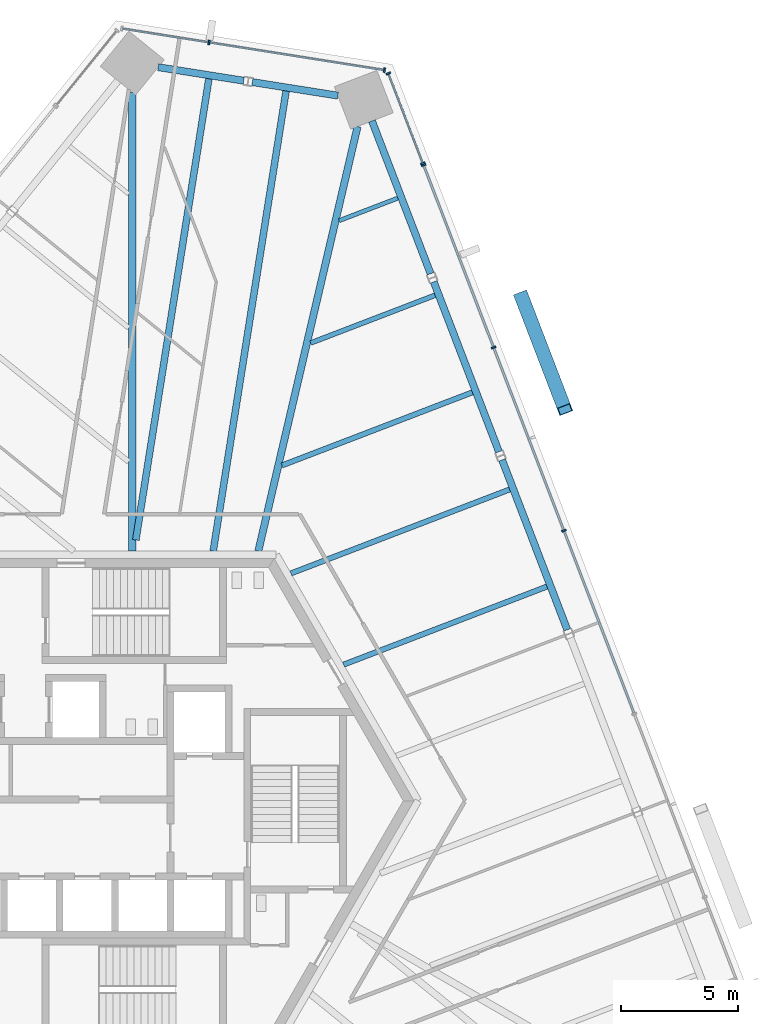
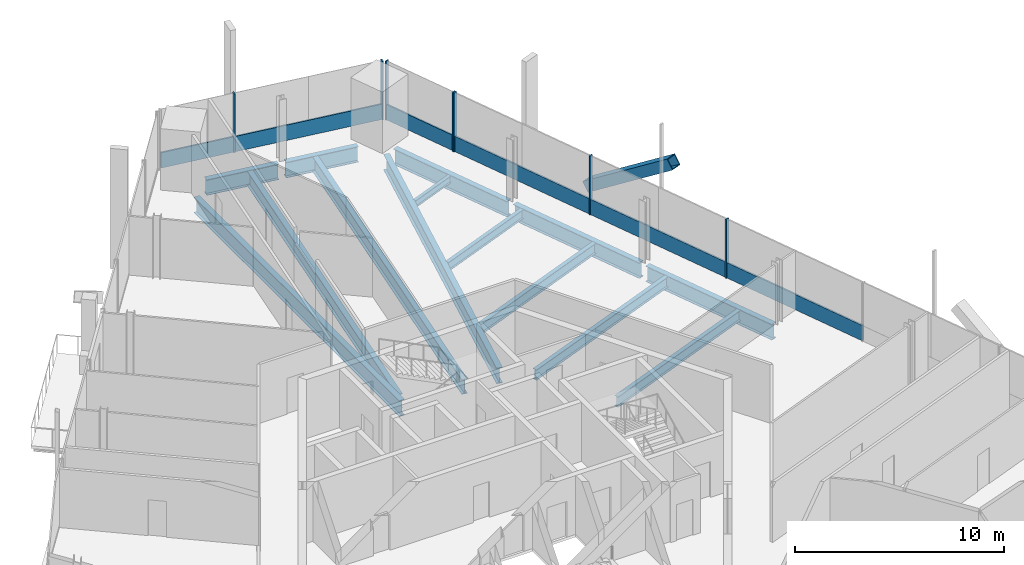
# One storey, part 9 of 21: 14 beams, 14 members, 3 elements without a shape of their own.
"""IFC4 building model written with IfcOpenShell, lengths in metres."""

from ifc_helpers import new_model, si_unit, direction, frame, origin, origin_2d, place, context, subcontext, project, spatial, rectangle, hollow_rectangle, i_section, extrude, source, transform, mapped, material, material_profile, profile_set, type_object, element, aggregate, save


model = new_model("IFC4")

# Units and contexts
model_context = context("Model", 3, precision=1e-05, world=origin(), true_north=direction((0.0, 1.0)))
body_context = subcontext(model_context, "Body", "Model", "MODEL_VIEW")
ifc_project = project(units=[si_unit("LENGTHUNIT", "METRE"), si_unit("AREAUNIT", "SQUARE_METRE"), si_unit("VOLUMEUNIT", "CUBIC_METRE"), si_unit("PLANEANGLEUNIT", "RADIAN"), si_unit("MASSUNIT", "GRAM", prefix="KILO")], contexts=[model_context])

# Site, building, storey
site_placement = place(None, origin())
site = spatial("IfcSite", under=ifc_project, at=site_placement, CompositionType="ELEMENT")
building_placement = place(site_placement, origin())
building = spatial("IfcBuilding", under=site, at=building_placement, Name="Triune Harvest Tower", CompositionType="ELEMENT")
storey_placement = place(building_placement, frame((0.0, 0.0, 146.10009765625)))
storey = spatial("IfcBuildingStorey", under=building, at=storey_placement, Name="L37", CompositionType="ELEMENT", Elevation=146.10009765625)

# Beams
ifc_material_1 = material(Name="Steel ASTM A992 Gr 50", Category="steel")
ifc_material_profile_1 = material_profile(ifc_material_1, i_section(OverallWidth=0.3046875, OverallDepth=0.914306640625, WebThickness=0.0166015625, FlangeThickness=0.02587890625, at=origin_2d()), Name="W36x160")
ifc_profile_set_1 = profile_set([ifc_material_profile_1], Name="Steel ASTM A992 Gr 50")
beam_type_1 = type_object("IfcBeamType", Name="SB-1 Spandrel beam W36x160", PredefinedType="SPANDREL", material=ifc_profile_set_1)
shared_shape_1 = source(origin(), body_context, "Body", "SweptSolid", [
    extrude(i_section(OverallWidth=0.3046875, OverallDepth=0.914306640625, WebThickness=0.0166015625, FlangeThickness=0.02587890625, at=origin_2d()), origin(), (0.0, 0.0, 1.0), 7.013427734375),
])
beam_1_placement = place(storey_placement, frame((12.709716796875, 22.592041015625, -0.6171875), z_axis=(-0.358372513984, 0.93357867436, 0.0), x_axis=(-0.93357867436, -0.358372513984, 0.0)))
element("IfcBeam", 1, at=beam_1_placement, inside=storey, type_object=beam_type_1, Name="beam/L37/SB6", PredefinedType="SPANDREL", context=body_context, shape_type="MappedRepresentation", body=[
    mapped(shared_shape_1, transform((0.0, 0.0, 0.0), scale=1.0)),
])
shared_shape_2 = source(origin(), body_context, "Body", "SweptSolid", [
    extrude(i_section(OverallWidth=0.3046875, OverallDepth=0.914306640625, WebThickness=0.0166015625, FlangeThickness=0.02587890625, at=origin_2d()), origin(), (0.0, 0.0, 1.0), 7.8017578125),
])
for number, where, z_axis, x_axis, name in (
    (2, (18.569091796875, 7.327880859375, -0.6171875), (-0.358372974677, 0.933578497514, 0.0), (-0.933578497514, -0.358372974677, 0.0), "beam/L37/SB4"),
    (3, (15.639404296875, 14.9599609375, -0.6171875), (-0.358372974677, 0.933578497514, 0.0), (-0.933578497514, -0.358372974677, 0.0), "beam/L37/SB5"),
):
    element("IfcBeam", number, at=place(storey_placement, frame(where, z_axis=z_axis, x_axis=x_axis)), inside=storey, type_object=beam_type_1, Name=name, PredefinedType="SPANDREL", context=body_context, shape_type="MappedRepresentation", body=[
        mapped(shared_shape_2, transform((0.0, 0.0, 0.0), scale=1.0)),
    ])
shared_shape_3 = source(origin(), body_context, "Body", "SweptSolid", [
    extrude(i_section(OverallWidth=0.3046875, OverallDepth=0.914306640625, WebThickness=0.0166015625, FlangeThickness=0.02587890625, at=origin_2d()), origin(), (0.0, 0.0, 1.0), 3.71240234375),
])
for number, where, z_axis, x_axis, name in (
    (4, (8.735107421875, 30.225830078125, -0.6171875), (-0.987686063537, 0.156448841145, 0.0), (-0.156448841145, -0.987686063537, 0.0), "beam/L37/SB7"),
    (5, (4.699462890625, 30.864990234375, -0.6171875), (-0.987686063537, 0.156448841145, 0.0), (-0.156448841145, -0.987686063537, 0.0), "beam/L37/SB8"),
):
    element("IfcBeam", number, at=place(storey_placement, frame(where, z_axis=z_axis, x_axis=x_axis)), inside=storey, type_object=beam_type_1, Name=name, PredefinedType="SPANDREL", context=body_context, shape_type="MappedRepresentation", body=[
        mapped(shared_shape_3, transform((0.0, 0.0, 0.0), scale=1.0)),
    ])
ifc_material_2 = material(Name="Steel ASTM A992 Gr 50", Category="steel")
ifc_material_profile_2 = material_profile(ifc_material_2, i_section(OverallWidth=0.307373046875, OverallDepth=0.922119140625, WebThickness=0.018310546875, FlangeThickness=0.030029296875, at=origin_2d()), Name="W36x182")
ifc_profile_set_2 = profile_set([ifc_material_profile_2], Name="Steel ASTM A992 Gr 50")
beam_type_2 = type_object("IfcBeamType", Name="HG-2 Hip girder W36x182", PredefinedType="BEAM", material=ifc_profile_set_2)
shared_shape_4 = source(origin(), body_context, "Body", "SweptSolid", [
    extrude(i_section(OverallWidth=0.307373046875, OverallDepth=0.922119140625, WebThickness=0.018310546875, FlangeThickness=0.030029296875, at=origin_2d()), origin(), (0.0, 0.0, 1.0), 18.6962890625),
])
beam_2_placement = place(storey_placement, frame((9.578857421875, 28.902587890625, -0.62109375), z_axis=(-0.227605246905, -0.973753486043, 0.0), x_axis=(0.973753486043, -0.227605246905, 0.0)))
element("IfcBeam", 6, at=beam_2_placement, inside=storey, type_object=beam_type_2, Name="beam/L37/HG3", PredefinedType="BEAM", context=body_context, shape_type="MappedRepresentation", body=[
    mapped(shared_shape_4, transform((0.0, 0.0, 0.0), scale=1.0)),
])
shared_shape_5 = source(origin(), body_context, "Body", "SweptSolid", [
    extrude(i_section(OverallWidth=0.307373046875, OverallDepth=0.922119140625, WebThickness=0.018310546875, FlangeThickness=0.030029296875, at=origin_2d()), origin(), (0.0, 0.0, 1.0), 19.670166015625),
])
beam_3_placement = place(storey_placement, frame((-0.0791015625, 30.3671875, -0.62109375), z_axis=(0.0, -1.0, 0.0), x_axis=(1.0, 0.0, 0.0)))
element("IfcBeam", 7, at=beam_3_placement, inside=storey, type_object=beam_type_2, Name="beam/L37/HG4", PredefinedType="BEAM", context=body_context, shape_type="MappedRepresentation", body=[
    mapped(shared_shape_5, transform((0.0, 0.0, 0.0), scale=1.0)),
])
ifc_material_3 = material(Name="Steel ASTM A992 Gr 50", Category="steel")
ifc_material_profile_3 = material_profile(ifc_material_3, i_section(OverallWidth=0.22900390625, OverallDepth=0.612060546875, WebThickness=0.011962890625, FlangeThickness=0.01953125, at=origin_2d()), Name="W24x84")
ifc_profile_set_3 = profile_set([ifc_material_profile_3], Name="Steel ASTM A992 Gr 50")
beam_type_3 = type_object("IfcBeamType", Name="JT-3 Floor joist W24x84", PredefinedType="JOIST", material=ifc_profile_set_3)
shared_shape_6 = source(origin(), body_context, "Body", "SweptSolid", [
    extrude(i_section(OverallWidth=0.22900390625, OverallDepth=0.612060546875, WebThickness=0.011962890625, FlangeThickness=0.01953125, at=origin_2d()), origin(), (0.0, 0.0, 1.0), 9.33203125),
])
beam_4_placement = place(storey_placement, frame((17.694580078125, 9.180419921875, -0.46630859375), z_axis=(-0.933582072806, -0.358363660734, 0.0), x_axis=(0.358363660734, -0.933582072806, 0.0)))
element("IfcBeam", 8, at=beam_4_placement, inside=storey, type_object=beam_type_3, Name="beam/L37/JT6", PredefinedType="JOIST", context=body_context, shape_type="MappedRepresentation", body=[
    mapped(shared_shape_6, transform((0.0, 0.0, 0.0), scale=1.0)),
])
shared_shape_7 = source(origin(), body_context, "Body", "SweptSolid", [
    extrude(i_section(OverallWidth=0.22900390625, OverallDepth=0.612060546875, WebThickness=0.011962890625, FlangeThickness=0.01953125, at=origin_2d()), origin(), (0.0, 0.0, 1.0), 10.038330078125),
])
beam_5_placement = place(storey_placement, frame((16.0966796875, 13.343505859375, -0.46630859375), z_axis=(-0.933580465952, -0.358367846762, 0.0), x_axis=(0.358367846762, -0.933580465952, 0.0)))
element("IfcBeam", 9, at=beam_5_placement, inside=storey, type_object=beam_type_3, Name="beam/L37/JT7", PredefinedType="JOIST", context=body_context, shape_type="MappedRepresentation", body=[
    mapped(shared_shape_7, transform((0.0, 0.0, 0.0), scale=1.0)),
])
shared_shape_8 = source(origin(), body_context, "Body", "SweptSolid", [
    extrude(i_section(OverallWidth=0.22900390625, OverallDepth=0.612060546875, WebThickness=0.011962890625, FlangeThickness=0.01953125, at=origin_2d()), origin(), (0.0, 0.0, 1.0), 8.738037109375),
])
beam_6_placement = place(storey_placement, frame((14.498779296875, 17.50634765625, -0.46630859375), z_axis=(-0.933584472757, -0.358357408499, 0.0), x_axis=(0.358357408499, -0.933584472757, 0.0)))
element("IfcBeam", 10, at=beam_6_placement, inside=storey, type_object=beam_type_3, Name="beam/L37/JT8", PredefinedType="JOIST", context=body_context, shape_type="MappedRepresentation", body=[
    mapped(shared_shape_8, transform((0.0, 0.0, 0.0), scale=1.0)),
])
ifc_material_4 = material(Name="Steel ASTM A992 Gr 50", Category="steel")
ifc_material_profile_4 = material_profile(ifc_material_4, i_section(OverallWidth=0.2099609375, OverallDepth=0.535888671875, WebThickness=0.010986328125, FlangeThickness=0.017333984375, at=origin_2d()), Name="W21x68")
ifc_profile_set_4 = profile_set([ifc_material_profile_4], Name="Steel ASTM A992 Gr 50")
beam_type_4 = type_object("IfcBeamType", Name="JT-2 Floor joist W21x68", PredefinedType="JOIST", material=ifc_profile_set_4)
shared_shape_9 = source(origin(), body_context, "Body", "SweptSolid", [
    extrude(i_section(OverallWidth=0.2099609375, OverallDepth=0.535888671875, WebThickness=0.010986328125, FlangeThickness=0.017333984375, at=origin_2d()), origin(), (0.0, 0.0, 1.0), 5.712890625),
])
beam_7_placement = place(storey_placement, frame((12.90087890625, 21.669189453125, -0.427978515625), z_axis=(-0.933593203906, -0.358334661483, 0.0), x_axis=(0.358334661483, -0.933593203906, 0.0)))
element("IfcBeam", 11, at=beam_7_placement, inside=storey, type_object=beam_type_4, Name="beam/L37/JT9", PredefinedType="JOIST", context=body_context, shape_type="MappedRepresentation", body=[
    mapped(shared_shape_9, transform((0.0, 0.0, 0.0), scale=1.0)),
])
ifc_material_5 = material(Name="Steel ASTM A992 Gr 50", Category="steel")
ifc_material_profile_5 = material_profile(ifc_material_5, i_section(OverallWidth=0.180908203125, OverallDepth=0.41650390625, WebThickness=0.010986328125, FlangeThickness=0.01806640625, at=origin_2d()), Name="W16x57")
ifc_profile_set_5 = profile_set([ifc_material_profile_5], Name="Steel ASTM A992 Gr 50")
beam_type_5 = type_object("IfcBeamType", Name="JT-1 Floor joist W16x57", PredefinedType="JOIST", material=ifc_profile_set_5)
shared_shape_10 = source(origin(), body_context, "Body", "SweptSolid", [
    extrude(i_section(OverallWidth=0.180908203125, OverallDepth=0.41650390625, WebThickness=0.010986328125, FlangeThickness=0.01806640625, at=origin_2d()), origin(), (0.0, 0.0, 1.0), 2.687255859375),
])
beam_8_placement = place(storey_placement, frame((11.302734375, 25.832275390625, -0.368408203125), z_axis=(-0.933567867424, -0.358400665336, 0.0), x_axis=(0.358400665336, -0.933567867424, 0.0)))
element("IfcBeam", 12, at=beam_8_placement, inside=storey, type_object=beam_type_5, Name="beam/L37/JT10", PredefinedType="JOIST", context=body_context, shape_type="MappedRepresentation", body=[
    mapped(shared_shape_10, transform((0.0, 0.0, 0.0), scale=1.0)),
])
ifc_material_6 = material(Name="Steel ASTM A992 Gr 50", Category="steel")
ifc_material_profile_6 = material_profile(ifc_material_6, i_section(OverallWidth=0.2919921875, OverallDepth=0.8583984375, WebThickness=0.01708984375, FlangeThickness=0.031005859375, at=origin_2d()), Name="W33x169")
ifc_profile_set_6 = profile_set([ifc_material_profile_6], Name="Steel ASTM A992 Gr 50")
beam_type_6 = type_object("IfcBeamType", Name="JT-7 Floor joist W33x169", PredefinedType="JOIST", material=ifc_profile_set_6)
shared_shape_11 = source(origin(), body_context, "Body", "SweptSolid", [
    extrude(i_section(OverallWidth=0.2919921875, OverallDepth=0.8583984375, WebThickness=0.01708984375, FlangeThickness=0.031005859375, at=origin_2d()), origin(), (0.0, 0.0, 1.0), 19.97216796875),
])
beam_9_placement = place(storey_placement, frame((6.514404296875, 30.42333984375, -0.58935546875), z_axis=(-0.15643083518, -0.987688915502, 0.0), x_axis=(0.987688915502, -0.15643083518, 0.0)))
element("IfcBeam", 13, at=beam_9_placement, inside=storey, type_object=beam_type_6, Name="beam/L37/JT11", PredefinedType="JOIST", context=body_context, shape_type="MappedRepresentation", body=[
    mapped(shared_shape_11, transform((0.0, 0.0, 0.0), scale=1.0)),
])
shared_shape_12 = source(origin(), body_context, "Body", "SweptSolid", [
    extrude(i_section(OverallWidth=0.2919921875, OverallDepth=0.8583984375, WebThickness=0.01708984375, FlangeThickness=0.031005859375, at=origin_2d()), origin(), (0.0, 0.0, 1.0), 20.016845703125),
])
beam_10_placement = place(storey_placement, frame((3.205810546875, 30.947509765625, -0.58935546875), z_axis=(-0.156434798458, -0.987688287787, 0.0), x_axis=(0.987688287787, -0.156434798458, 0.0)))
element("IfcBeam", 14, at=beam_10_placement, inside=storey, type_object=beam_type_6, Name="beam/L37/JT12", PredefinedType="JOIST", context=body_context, shape_type="MappedRepresentation", body=[
    mapped(shared_shape_12, transform((0.0, 0.0, 0.0), scale=1.0)),
])

# Member
ifc_material_7 = material(Name="Steel ASTM A572 Gr 50", Category="steel")
ifc_material_profile_7 = material_profile(ifc_material_7, hollow_rectangle(XDim=0.60009765625, YDim=0.60009765625, WallThickness=0.0400390625, at=origin_2d()), Name="Box 600x600x40")
ifc_profile_set_7 = profile_set([ifc_material_profile_7], Name="Steel ASTM A572 Gr 50")
member_type_1 = type_object("IfcMemberType", Name="BR-2 Brace Box 600x600x40", PredefinedType="BRACE", material=ifc_profile_set_7)
shared_shape_13 = source(origin(), body_context, "Body", "SweptSolid", [
    extrude(hollow_rectangle(XDim=0.60009765625, YDim=0.60009765625, WallThickness=0.0400390625, at=origin_2d()), origin(), (0.0, 0.0, 1.0), 6.328857421875),
])
member_1_placement = place(storey_placement, frame((16.601806640625, 21.630126953125, 0.0), z_axis=(0.294756015592, -0.767846942854, 0.568796944104), x_axis=(0.933577501812, 0.358375568518, 0.0)))
element("IfcMember", 15, at=member_1_placement, inside=storey, type_object=member_type_1, Name="brace/B4-F1/d2/3", PredefinedType="BRACE", context=body_context, shape_type="MappedRepresentation", body=[
    mapped(shared_shape_13, transform((0.0, 0.0, 0.0), scale=1.0)),
])

# Curtain wall, members
ifc_material_8 = material(Name="Aluminium bronze anodised", Category="aluminium")
curtain_wall_type_1 = type_object("IfcCurtainWallType", Name="CW-7 Tower stick curtain wall with insulated spandrel infill", PredefinedType="NOTDEFINED", material=ifc_material_8)
curtain_wall_1_placement = place(storey_placement, origin())
curtain_wall_1 = element("IfcCurtainWall", 16, at=curtain_wall_1_placement, inside=storey, type_object=curtain_wall_type_1, Name="CW-7 B4-F1 L37 run 1001")
ifc_material_9 = material(Name="Aluminium bronze anodised", Category="aluminium")
ifc_material_profile_8 = material_profile(ifc_material_9, rectangle(XDim=0.199951171875, YDim=0.074951171875, at=origin_2d()), Name="MU-1 mullion 75 x 200")
ifc_profile_set_8 = profile_set([ifc_material_profile_8], Name="Aluminium bronze anodised")
member_type_2 = type_object("IfcMemberType", Name="MU-1 mullion 75 x 200", PredefinedType="MULLION", material=ifc_profile_set_8)
shared_shape_14 = source(origin(), body_context, "Body", "SweptSolid", [
    extrude(rectangle(XDim=0.199951171875, YDim=0.074951171875, at=origin_2d()), origin(), (0.0, 0.0, 1.0), 3.43994140625),
])
member_2_placement = place(storey_placement, frame((18.42529296875, 11.578125, 0.0), z_axis=(0.0, 0.0, 1.0), x_axis=(-0.933579785245, -0.35836962006, 0.0)))
member_2 = element("IfcMember", 17, at=member_2_placement, type_object=member_type_2, Name="CW-7 mullion B4-F1 1001.7", PredefinedType="MULLION", context=body_context, shape_type="MappedRepresentation", body=[
    mapped(shared_shape_14, transform((0.0, 0.0, 0.0), scale=1.0)),
])
member_3_placement = place(storey_placement, frame((15.410400390625, 19.431640625, 0.0), z_axis=(0.0, 0.0, 1.0), x_axis=(-0.933579785245, -0.35836962006, 0.0)))
member_3 = element("IfcMember", 18, at=member_3_placement, type_object=member_type_2, Name="CW-7 mullion B4-F1 1001.9", PredefinedType="MULLION", context=body_context, shape_type="MappedRepresentation", body=[
    mapped(shared_shape_14, transform((0.0, 0.0, 0.0), scale=1.0)),
])
member_4_placement = place(storey_placement, frame((12.4091796875, 27.250244140625, 0.0), z_axis=(0.0, 0.0, 1.0), x_axis=(-0.933579785245, -0.35836962006, 0.0)))
member_4 = element("IfcMember", 19, at=member_4_placement, type_object=member_type_2, Name="CW-7 mullion B4-F1 1001.11", PredefinedType="MULLION", context=body_context, shape_type="MappedRepresentation", body=[
    mapped(shared_shape_14, transform((0.0, 0.0, 0.0), scale=1.0)),
])

ifc_material_10 = material(Name="Aluminium bronze anodised", Category="aluminium")
curtain_wall_type_2 = type_object("IfcCurtainWallType", Name="CW-1 Tower stick curtain wall", PredefinedType="NOTDEFINED", material=ifc_material_10)
curtain_wall_2_placement = place(storey_placement, origin())
curtain_wall_2 = element("IfcCurtainWall", 20, at=curtain_wall_2_placement, inside=storey, type_object=curtain_wall_type_2, Name="CW-1 B4-F1 L37 run 2001")
member_5_placement = place(storey_placement, frame((12.38232421875, 27.3203125, 0.0), z_axis=(0.0, 0.0, 1.0), x_axis=(-0.933580586242, -0.358367533395, 0.0)))
member_5 = element("IfcMember", 21, at=member_5_placement, type_object=member_type_2, Name="CW-1 mullion B4-F1 2001.1", PredefinedType="MULLION", context=body_context, shape_type="MappedRepresentation", body=[
    mapped(shared_shape_14, transform((0.0, 0.0, 0.0), scale=1.0)),
])
member_6_placement = place(storey_placement, frame((10.90185546875, 31.177001953125, 0.0), z_axis=(0.0, 0.0, 1.0), x_axis=(-0.933580586242, -0.358367533395, 0.0)))
member_6 = element("IfcMember", 22, at=member_6_placement, type_object=member_type_2, Name="CW-1 mullion B4-F1 2001.2", PredefinedType="MULLION", context=body_context, shape_type="MappedRepresentation", body=[
    mapped(shared_shape_14, transform((0.0, 0.0, 0.0), scale=1.0)),
])

curtain_wall_3_placement = place(storey_placement, origin())
curtain_wall_3 = element("IfcCurtainWall", 23, at=curtain_wall_3_placement, inside=storey, type_object=curtain_wall_type_2, Name="CW-1 B4-F2 L37 run 1")
member_7_placement = place(storey_placement, frame((10.730224609375, 31.31591796875, 0.0), z_axis=(0.0, 0.0, 1.0), x_axis=(-0.156432728322, -0.987688615663, 0.0)))
member_7 = element("IfcMember", 24, at=member_7_placement, type_object=member_type_2, Name="CW-1 mullion B4-F2 1.1", PredefinedType="MULLION", context=body_context, shape_type="MappedRepresentation", body=[
    mapped(shared_shape_14, transform((0.0, 0.0, 0.0), scale=1.0)),
])
member_8_placement = place(storey_placement, frame((3.21240234375, 32.506591796875, 0.0), z_axis=(0.0, 0.0, 1.0), x_axis=(-0.156432728322, -0.987688615663, 0.0)))
member_8 = element("IfcMember", 25, at=member_8_placement, type_object=member_type_2, Name="CW-1 mullion B4-F2 1.3", PredefinedType="MULLION", context=body_context, shape_type="MappedRepresentation", body=[
    mapped(shared_shape_14, transform((0.0, 0.0, 0.0), scale=1.0)),
])
ifc_material_11 = material(Name="Aluminium bronze anodised", Category="aluminium")
ifc_material_profile_9 = material_profile(ifc_material_11, rectangle(XDim=0.090087890625, YDim=0.89990234375, at=origin_2d()), Name="TR-1 transom 90 x 900")
ifc_profile_set_9 = profile_set([ifc_material_profile_9], Name="Aluminium bronze anodised")
member_type_3 = type_object("IfcMemberType", Name="TR-1 transom 90 x 900", PredefinedType="USERDEFINED", material=ifc_profile_set_9)
shared_shape_15 = source(origin(), body_context, "Body", "SweptSolid", [
    extrude(rectangle(XDim=0.090087890625, YDim=0.89990234375, at=origin_2d()), origin(), (0.0, 0.0, 1.0), 7.536376953125),
])
member_9_placement = place(storey_placement, frame((10.693115234375, 31.32177734375, 0.449951171875), z_axis=(-0.987688256511, 0.156434995923, 0.0), x_axis=(-0.156434995923, -0.987688256511, 0.0)))
member_9 = element("IfcMember", 26, at=member_9_placement, type_object=member_type_3, Name="CW-1 transom B4-F2 1.1", ObjectType="TRANSOM", PredefinedType="USERDEFINED", context=body_context, shape_type="MappedRepresentation", body=[
    mapped(shared_shape_15, transform((0.0, 0.0, 0.0), scale=1.0)),
])
shared_shape_16 = source(origin(), body_context, "Body", "SweptSolid", [
    extrude(rectangle(XDim=0.090087890625, YDim=0.89990234375, at=origin_2d()), origin(), (0.0, 0.0, 1.0), 3.7119140625),
])
member_10_placement = place(storey_placement, frame((3.17529296875, 32.512451171875, 0.449951171875), z_axis=(-0.987682843675, 0.156469167284, 0.0), x_axis=(-0.156469167284, -0.987682843675, 0.0)))
member_10 = element("IfcMember", 27, at=member_10_placement, type_object=member_type_3, Name="CW-1 transom B4-F2 1.2", ObjectType="TRANSOM", PredefinedType="USERDEFINED", context=body_context, shape_type="MappedRepresentation", body=[
    mapped(shared_shape_16, transform((0.0, 0.0, 0.0), scale=1.0)),
])
aggregate(curtain_wall_3, [member_7, member_8, member_9, member_10])

# Member
shared_shape_17 = source(origin(), body_context, "Body", "SweptSolid", [
    extrude(rectangle(XDim=0.090087890625, YDim=0.89990234375, at=origin_2d()), origin(), (0.0, 0.0, 1.0), 8.299560546875),
])
member_11_placement = place(storey_placement, frame((15.39697265625, 19.466796875, 0.449951171875), z_axis=(-0.358375823546, 0.933577403913, 0.0), x_axis=(-0.933577403913, -0.358375823546, 0.0)))
member_11 = element("IfcMember", 28, at=member_11_placement, type_object=member_type_3, Name="CW-7 transom B4-F1 1001.5", ObjectType="TRANSOM", PredefinedType="USERDEFINED", context=body_context, shape_type="MappedRepresentation", body=[
    mapped(shared_shape_17, transform((0.0, 0.0, 0.0), scale=1.0)),
])

shared_shape_18 = source(origin(), body_context, "Body", "SweptSolid", [
    extrude(rectangle(XDim=0.090087890625, YDim=0.89990234375, at=origin_2d()), origin(), (0.0, 0.0, 1.0), 8.337158203125),
])
member_12_placement = place(storey_placement, frame((21.426513671875, 3.759765625, 0.449951171875), z_axis=(-0.358368733061, 0.933580125733, 0.0), x_axis=(-0.933580125733, -0.358368733061, 0.0)))
member_12 = element("IfcMember", 29, at=member_12_placement, type_object=member_type_3, Name="CW-7 transom B4-F1 1001.3", ObjectType="TRANSOM", PredefinedType="USERDEFINED", context=body_context, shape_type="MappedRepresentation", body=[
    mapped(shared_shape_18, transform((0.0, 0.0, 0.0), scale=1.0)),
])

shared_shape_19 = source(origin(), body_context, "Body", "SweptSolid", [
    extrude(rectangle(XDim=0.090087890625, YDim=0.89990234375, at=origin_2d()), origin(), (0.0, 0.0, 1.0), 4.05615234375),
])
member_13_placement = place(storey_placement, frame((12.368896484375, 27.355224609375, 0.449951171875), z_axis=(-0.358382052033, 0.933575012937, 0.0), x_axis=(-0.933575012937, -0.358382052033, 0.0)))
member_13 = element("IfcMember", 30, at=member_13_placement, type_object=member_type_3, Name="CW-1 transom B4-F1 2001.1", ObjectType="TRANSOM", PredefinedType="USERDEFINED", context=body_context, shape_type="MappedRepresentation", body=[
    mapped(shared_shape_19, transform((0.0, 0.0, 0.0), scale=1.0)),
])

aggregate(curtain_wall_2, [member_5, member_6, member_13])

shared_shape_20 = source(origin(), body_context, "Body", "SweptSolid", [
    extrude(rectangle(XDim=0.090087890625, YDim=0.89990234375, at=origin_2d()), origin(), (0.0, 0.0, 1.0), 8.33740234375),
])
member_14_placement = place(storey_placement, frame((18.411865234375, 11.61328125, 0.449951171875), z_axis=(-0.358394255139, 0.933570328301, 0.0), x_axis=(-0.933570328301, -0.358394255139, 0.0)))
member_14 = element("IfcMember", 31, at=member_14_placement, type_object=member_type_3, Name="CW-7 transom B4-F1 1001.4", ObjectType="TRANSOM", PredefinedType="USERDEFINED", context=body_context, shape_type="MappedRepresentation", body=[
    mapped(shared_shape_20, transform((0.0, 0.0, 0.0), scale=1.0)),
])

aggregate(curtain_wall_1, [member_2, member_3, member_4, member_12, member_14, member_11])

save(model, "model.ifc")
